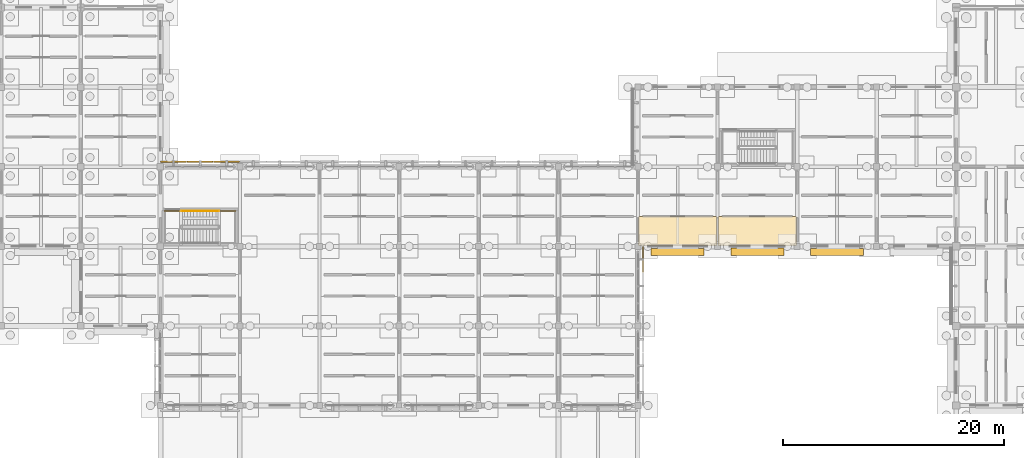
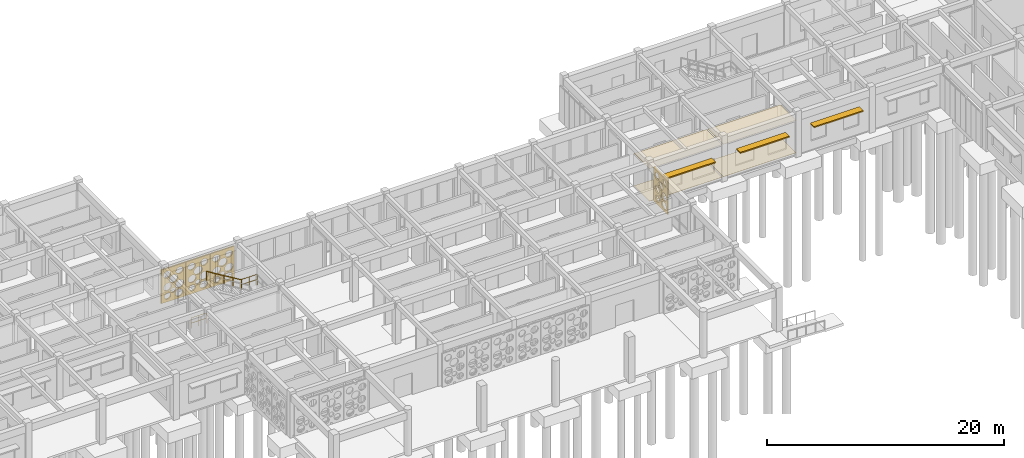
# One storey, part 102 of 111: 8 coverings, 3 railings, 3 shading devices.
"""IFC4 building model written with IfcOpenShell, lengths in metres."""

from ifc_helpers import new_model, si_unit, direction, frame, origin, origin_2d, place, context, subcontext, project, spatial, polyline, rectangle, circle, outline, extrude, material, layer, layer_set, type_object, element, save


model = new_model("IFC4")

# Units and contexts
model_context = context("Model", 3, precision=1e-05, world=origin(), true_north=direction((0.0, 1.0)))
body_context = subcontext(model_context, "Body", "Model", "MODEL_VIEW")
ifc_project = project(units=[si_unit("LENGTHUNIT", "METRE"), si_unit("AREAUNIT", "SQUARE_METRE"), si_unit("VOLUMEUNIT", "CUBIC_METRE"), si_unit("PLANEANGLEUNIT", "RADIAN"), si_unit("MASSUNIT", "GRAM", prefix="KILO")], contexts=[model_context])

# Site, building, storey
site_placement = place(None, origin())
site = spatial("IfcSite", under=ifc_project, at=site_placement, CompositionType="ELEMENT")
building_placement = place(site_placement, origin())
building = spatial("IfcBuilding", under=site, at=building_placement, Name="Aldebral Square Health Centre", CompositionType="ELEMENT")
storey_placement = place(building_placement, origin())
storey = spatial("IfcBuildingStorey", under=building, at=storey_placement, Name="L00", CompositionType="ELEMENT", Elevation=0.0)

# Coverings
ifc_material_1 = material(Name="Hygienic acoustic mineral ceiling tile")
ifc_layer_1 = layer(ifc_material_1, 0.02001953125, Name="Hygienic acoustic mineral ceiling tile")
ifc_layer_set_1 = layer_set([ifc_layer_1], Name="Hygienic acoustic mineral ceiling tile")
covering_type_1 = type_object("IfcCoveringType", Name="COV-CLG-AC", PredefinedType="CEILING", material=ifc_layer_set_1)
covering_1_placement = place(storey_placement, frame((0.0, 0.0, 3.340087890625)))
element("IfcCovering", 1, at=covering_1_placement, inside=storey, type_object=covering_type_1, Name="L00 Maternal-Child Clinic 16.14S acoustic ceiling", PredefinedType="CEILING", context=body_context, shape_type="SweptSolid", body=[
    extrude(outline(polyline([(108.06005859375, 93.659912109375), (115.139892578125, 93.659912109375), (115.139892578125, 96.280029296875), (108.06005859375, 96.280029296875), (108.06005859375, 93.659912109375)])), origin(), (0.0, 0.0, 1.0), 0.02001953125),
])
covering_2_placement = place(storey_placement, frame((0.0, 0.0, 3.340087890625)))
element("IfcCovering", 2, at=covering_2_placement, inside=storey, type_object=covering_type_1, Name="L00 Medical Records Archive 17.14S acoustic ceiling", PredefinedType="CEILING", context=body_context, shape_type="SweptSolid", body=[
    extrude(outline(polyline([(115.260009765625, 93.659912109375), (122.340087890625, 93.659912109375), (122.340087890625, 96.280029296875), (115.260009765625, 96.280029296875), (115.260009765625, 93.659912109375)])), origin(), (0.0, 0.0, 1.0), 0.02001953125),
])
ifc_material_2 = material(Name="Antimicrobial clinical vinyl flooring")
ifc_layer_2 = layer(ifc_material_2, 0.014892578125, Name="Antimicrobial clinical vinyl flooring")
ifc_layer_set_2 = layer_set([ifc_layer_2], Name="Antimicrobial clinical vinyl flooring")
covering_type_2 = type_object("IfcCoveringType", Name="COV-FLR-VN", PredefinedType="FLOORING", material=ifc_layer_set_2)
covering_3_placement = place(storey_placement, origin())
element("IfcCovering", 3, at=covering_3_placement, inside=storey, type_object=covering_type_2, Name="L00 Maternal-Child Clinic 16.14S clinical flooring", PredefinedType="FLOORING", context=body_context, shape_type="SweptSolid", body=[
    extrude(outline(polyline([(108.06005859375, 93.659912109375), (115.139892578125, 93.659912109375), (115.139892578125, 96.280029296875), (108.06005859375, 96.280029296875), (108.06005859375, 93.659912109375)])), origin(), (0.0, 0.0, 1.0), 0.014892578125),
])
covering_4_placement = place(storey_placement, origin())
element("IfcCovering", 4, at=covering_4_placement, inside=storey, type_object=covering_type_2, Name="L00 Medical Records Archive 17.14S clinical flooring", PredefinedType="FLOORING", context=body_context, shape_type="SweptSolid", body=[
    extrude(outline(polyline([(115.260009765625, 93.659912109375), (122.340087890625, 93.659912109375), (122.340087890625, 96.280029296875), (115.260009765625, 96.280029296875), (115.260009765625, 93.659912109375)])), origin(), (0.0, 0.0, 1.0), 0.014892578125),
])
ifc_material_3 = material(Name="Cream cantera perforated stone screen", Category="masonry")
ifc_layer_3 = layer(ifc_material_3, 0.1201171875, Name="Cream cantera perforated stone screen", Category="masonry")
ifc_layer_set_3 = layer_set([ifc_layer_3], Name="Cream cantera perforated stone screen")
covering_type_3 = type_object("IfcCoveringType", Name="COV-SCR-120", PredefinedType="CLADDING", material=ifc_layer_set_3)
covering_5_placement = place(storey_placement, frame((71.97998046875, 101.260009765625, 0.0), z_axis=(0.0, 0.0, 1.0), x_axis=(-1.0, 0.0, 0.0)))
element("IfcCovering", 5, at=covering_5_placement, inside=storey, type_object=covering_type_3, Name="L00 V1 circular-aperture stone screen L00-V1-09-13-N.1", PredefinedType="CLADDING", context=body_context, shape_type="SweptSolid", body=[
    extrude(outline(polyline([(0.0, 0.0), (2.35986328125, 0.0), (2.35986328125, 3.469970703125), (0.0, 3.469970703125), (0.0, 0.0)]), holes=[polyline([(0.98486328125, 0.55517578125), (0.966552734375, 0.4404296875), (0.913818359375, 0.3369140625), (0.831787109375, 0.2548828125), (0.728271484375, 0.2021484375), (0.613525390625, 0.18408203125), (0.498779296875, 0.2021484375), (0.3955078125, 0.2548828125), (0.313232421875, 0.3369140625), (0.260498046875, 0.4404296875), (0.242431640625, 0.55517578125), (0.260498046875, 0.669921875), (0.313232421875, 0.7734375), (0.3955078125, 0.85546875), (0.498779296875, 0.908203125), (0.613525390625, 0.926513671875), (0.728271484375, 0.908203125), (0.831787109375, 0.85546875), (0.913818359375, 0.7734375), (0.966552734375, 0.669921875), (0.98486328125, 0.55517578125)]), polyline([(2.059326171875, 0.58984375), (2.0439453125, 0.4931640625), (1.99951171875, 0.406005859375), (1.930419921875, 0.336669921875), (1.843017578125, 0.292236328125), (1.746337890625, 0.277099609375), (1.649658203125, 0.292236328125), (1.5625, 0.336669921875), (1.4931640625, 0.406005859375), (1.44873046875, 0.4931640625), (1.43359375, 0.58984375), (1.44873046875, 0.6865234375), (1.4931640625, 0.77392578125), (1.5625, 0.843017578125), (1.649658203125, 0.887451171875), (1.746337890625, 0.90283203125), (1.843017578125, 0.887451171875), (1.930419921875, 0.843017578125), (1.99951171875, 0.77392578125), (2.0439453125, 0.6865234375), (2.059326171875, 0.58984375)]), polyline([(0.970703125, 1.45751953125), (0.950927734375, 1.33251953125), (0.8935546875, 1.2197265625), (0.803955078125, 1.13037109375), (0.69140625, 1.072998046875), (0.56640625, 1.052978515625), (0.44140625, 1.072998046875), (0.328857421875, 1.13037109375), (0.2392578125, 1.2197265625), (0.181884765625, 1.33251953125), (0.162109375, 1.45751953125), (0.181884765625, 1.582275390625), (0.2392578125, 1.695068359375), (0.328857421875, 1.784423828125), (0.44140625, 1.841796875), (0.56640625, 1.86181640625), (0.69140625, 1.841796875), (0.803955078125, 1.784423828125), (0.8935546875, 1.695068359375), (0.950927734375, 1.582275390625), (0.970703125, 1.45751953125)]), polyline([(2.124267578125, 1.52685546875), (2.105712890625, 1.41015625), (2.052001953125, 1.3046875), (1.968505859375, 1.22119140625), (1.863037109375, 1.16748046875), (1.746337890625, 1.14892578125), (1.629638671875, 1.16748046875), (1.5244140625, 1.22119140625), (1.440673828125, 1.3046875), (1.38720703125, 1.41015625), (1.36865234375, 1.52685546875), (1.38720703125, 1.6435546875), (1.440673828125, 1.748779296875), (1.5244140625, 1.83251953125), (1.629638671875, 1.88623046875), (1.746337890625, 1.904541015625), (1.863037109375, 1.88623046875), (1.968505859375, 1.83251953125), (2.052001953125, 1.748779296875), (2.105712890625, 1.6435546875), (2.124267578125, 1.52685546875)]), polyline([(1.42431640625, 1.00634765625), (1.412353515625, 0.9306640625), (1.377685546875, 0.862548828125), (1.32373046875, 0.80859375), (1.255615234375, 0.77392578125), (1.179931640625, 0.761962890625), (1.1044921875, 0.77392578125), (1.036376953125, 0.80859375), (0.982177734375, 0.862548828125), (0.947509765625, 0.9306640625), (0.935546875, 1.00634765625), (0.947509765625, 1.081787109375), (0.982177734375, 1.14990234375), (1.036376953125, 1.2041015625), (1.1044921875, 1.23876953125), (1.179931640625, 1.250732421875), (1.255615234375, 1.23876953125), (1.32373046875, 1.2041015625), (1.377685546875, 1.14990234375), (1.412353515625, 1.081787109375), (1.42431640625, 1.00634765625)]), polyline([(1.563232421875, 2.18603515625), (1.54345703125, 2.060302734375), (1.485595703125, 1.947021484375), (1.3955078125, 1.85693359375), (1.2822265625, 1.799072265625), (1.156494140625, 1.779296875), (1.03076171875, 1.799072265625), (0.917236328125, 1.85693359375), (0.8271484375, 1.947021484375), (0.76953125, 2.060302734375), (0.74951171875, 2.18603515625), (0.76953125, 2.311767578125), (0.8271484375, 2.42529296875), (0.917236328125, 2.515380859375), (1.03076171875, 2.572998046875), (1.156494140625, 2.593017578125), (1.2822265625, 2.572998046875), (1.3955078125, 2.515380859375), (1.485595703125, 2.42529296875), (1.54345703125, 2.311767578125), (1.563232421875, 2.18603515625)]), polyline([(0.9091796875, 2.845458984375), (0.892333984375, 2.739501953125), (0.84375, 2.64404296875), (0.767822265625, 2.568115234375), (0.67236328125, 2.51953125), (0.56640625, 2.502685546875), (0.46044921875, 2.51953125), (0.364990234375, 2.568115234375), (0.2890625, 2.64404296875), (0.240478515625, 2.739501953125), (0.2236328125, 2.845458984375), (0.240478515625, 2.951416015625), (0.2890625, 3.046875), (0.364990234375, 3.12255859375), (0.46044921875, 3.17138671875), (0.56640625, 3.18798828125), (0.67236328125, 3.17138671875), (0.767822265625, 3.12255859375), (0.84375, 3.046875), (0.892333984375, 2.951416015625), (0.9091796875, 2.845458984375)]), polyline([(2.1513671875, 2.810791015625), (2.1337890625, 2.7001953125), (2.0830078125, 2.600341796875), (2.00390625, 2.521240234375), (1.904052734375, 2.470458984375), (1.793701171875, 2.452880859375), (1.68310546875, 2.470458984375), (1.583251953125, 2.521240234375), (1.504150390625, 2.600341796875), (1.453369140625, 2.7001953125), (1.435791015625, 2.810791015625), (1.453369140625, 2.921142578125), (1.504150390625, 3.02099609375), (1.583251953125, 3.10009765625), (1.68310546875, 3.15087890625), (1.793701171875, 3.16845703125), (1.904052734375, 3.15087890625), (2.00390625, 3.10009765625), (2.0830078125, 3.02099609375), (2.1337890625, 2.921142578125), (2.1513671875, 2.810791015625)])]), frame((0.0, 0.06005859375, 0.0), z_axis=(0.0, -1.0, 0.0), x_axis=(1.0, 0.0, 0.0)), (0.0, 0.0, 1.0), 0.1201171875),
])
covering_6_placement = place(storey_placement, frame((69.580078125, 101.260009765625, 0.0), z_axis=(0.0, 0.0, 1.0), x_axis=(-1.0, 0.0, 0.0)))
element("IfcCovering", 6, at=covering_6_placement, inside=storey, type_object=covering_type_3, Name="L00 V1 circular-aperture stone screen L00-V1-09-13-N.2", PredefinedType="CLADDING", context=body_context, shape_type="SweptSolid", body=[
    extrude(outline(polyline([(0.0, 0.0), (2.360107421875, 0.0), (2.360107421875, 3.469970703125), (0.0, 3.469970703125), (0.0, 0.0)]), holes=[polyline([(0.98486328125, 0.55517578125), (0.966552734375, 0.4404296875), (0.913818359375, 0.3369140625), (0.831787109375, 0.2548828125), (0.728271484375, 0.2021484375), (0.613525390625, 0.18408203125), (0.498779296875, 0.2021484375), (0.3955078125, 0.2548828125), (0.313232421875, 0.3369140625), (0.260498046875, 0.4404296875), (0.242431640625, 0.55517578125), (0.260498046875, 0.669921875), (0.313232421875, 0.7734375), (0.3955078125, 0.85546875), (0.498779296875, 0.908203125), (0.613525390625, 0.926513671875), (0.728271484375, 0.908203125), (0.831787109375, 0.85546875), (0.913818359375, 0.7734375), (0.966552734375, 0.669921875), (0.98486328125, 0.55517578125)]), polyline([(2.059326171875, 0.58984375), (2.0439453125, 0.4931640625), (1.99951171875, 0.406005859375), (1.930419921875, 0.336669921875), (1.843017578125, 0.292236328125), (1.746337890625, 0.277099609375), (1.649658203125, 0.292236328125), (1.5625, 0.336669921875), (1.4931640625, 0.406005859375), (1.44873046875, 0.4931640625), (1.43359375, 0.58984375), (1.44873046875, 0.6865234375), (1.4931640625, 0.77392578125), (1.5625, 0.843017578125), (1.649658203125, 0.887451171875), (1.746337890625, 0.90283203125), (1.843017578125, 0.887451171875), (1.930419921875, 0.843017578125), (1.99951171875, 0.77392578125), (2.0439453125, 0.6865234375), (2.059326171875, 0.58984375)]), polyline([(0.970703125, 1.45751953125), (0.950927734375, 1.33251953125), (0.8935546875, 1.2197265625), (0.803955078125, 1.13037109375), (0.69140625, 1.072998046875), (0.56640625, 1.052978515625), (0.44140625, 1.072998046875), (0.328857421875, 1.13037109375), (0.2392578125, 1.2197265625), (0.181884765625, 1.33251953125), (0.162109375, 1.45751953125), (0.181884765625, 1.582275390625), (0.2392578125, 1.695068359375), (0.328857421875, 1.784423828125), (0.44140625, 1.841796875), (0.56640625, 1.86181640625), (0.69140625, 1.841796875), (0.803955078125, 1.784423828125), (0.8935546875, 1.695068359375), (0.950927734375, 1.582275390625), (0.970703125, 1.45751953125)]), polyline([(2.124267578125, 1.52685546875), (2.105712890625, 1.41015625), (2.052001953125, 1.3046875), (1.968505859375, 1.22119140625), (1.863037109375, 1.16748046875), (1.746337890625, 1.14892578125), (1.629638671875, 1.16748046875), (1.5244140625, 1.22119140625), (1.440673828125, 1.3046875), (1.38720703125, 1.41015625), (1.36865234375, 1.52685546875), (1.38720703125, 1.6435546875), (1.440673828125, 1.748779296875), (1.5244140625, 1.83251953125), (1.629638671875, 1.88623046875), (1.746337890625, 1.904541015625), (1.863037109375, 1.88623046875), (1.968505859375, 1.83251953125), (2.052001953125, 1.748779296875), (2.105712890625, 1.6435546875), (2.124267578125, 1.52685546875)]), polyline([(1.42431640625, 1.00634765625), (1.412353515625, 0.9306640625), (1.377685546875, 0.862548828125), (1.32373046875, 0.80859375), (1.255615234375, 0.77392578125), (1.179931640625, 0.761962890625), (1.1044921875, 0.77392578125), (1.036376953125, 0.80859375), (0.982177734375, 0.862548828125), (0.947509765625, 0.9306640625), (0.935546875, 1.00634765625), (0.947509765625, 1.081787109375), (0.982177734375, 1.14990234375), (1.036376953125, 1.2041015625), (1.1044921875, 1.23876953125), (1.179931640625, 1.250732421875), (1.255615234375, 1.23876953125), (1.32373046875, 1.2041015625), (1.377685546875, 1.14990234375), (1.412353515625, 1.081787109375), (1.42431640625, 1.00634765625)]), polyline([(1.563232421875, 2.18603515625), (1.54345703125, 2.060302734375), (1.485595703125, 1.947021484375), (1.3955078125, 1.85693359375), (1.2822265625, 1.799072265625), (1.156494140625, 1.779296875), (1.03076171875, 1.799072265625), (0.917236328125, 1.85693359375), (0.8271484375, 1.947021484375), (0.76953125, 2.060302734375), (0.74951171875, 2.18603515625), (0.76953125, 2.311767578125), (0.8271484375, 2.42529296875), (0.917236328125, 2.515380859375), (1.03076171875, 2.572998046875), (1.156494140625, 2.593017578125), (1.2822265625, 2.572998046875), (1.3955078125, 2.515380859375), (1.485595703125, 2.42529296875), (1.54345703125, 2.311767578125), (1.563232421875, 2.18603515625)]), polyline([(0.9091796875, 2.845458984375), (0.892333984375, 2.739501953125), (0.84375, 2.64404296875), (0.767822265625, 2.568115234375), (0.67236328125, 2.51953125), (0.56640625, 2.502685546875), (0.46044921875, 2.51953125), (0.364990234375, 2.568115234375), (0.2890625, 2.64404296875), (0.240478515625, 2.739501953125), (0.2236328125, 2.845458984375), (0.240478515625, 2.951416015625), (0.2890625, 3.046875), (0.364990234375, 3.12255859375), (0.46044921875, 3.17138671875), (0.56640625, 3.18798828125), (0.67236328125, 3.17138671875), (0.767822265625, 3.12255859375), (0.84375, 3.046875), (0.892333984375, 2.951416015625), (0.9091796875, 2.845458984375)]), polyline([(2.1513671875, 2.810791015625), (2.1337890625, 2.7001953125), (2.0830078125, 2.600341796875), (2.00390625, 2.521240234375), (1.904052734375, 2.470458984375), (1.793701171875, 2.452880859375), (1.68310546875, 2.470458984375), (1.583251953125, 2.521240234375), (1.504150390625, 2.600341796875), (1.453369140625, 2.7001953125), (1.435791015625, 2.810791015625), (1.453369140625, 2.921142578125), (1.504150390625, 3.02099609375), (1.583251953125, 3.10009765625), (1.68310546875, 3.15087890625), (1.793701171875, 3.16845703125), (1.904052734375, 3.15087890625), (2.00390625, 3.10009765625), (2.0830078125, 3.02099609375), (2.1337890625, 2.921142578125), (2.1513671875, 2.810791015625)])]), frame((0.0, 0.06005859375, 0.0), z_axis=(0.0, -1.0, 0.0), x_axis=(1.0, 0.0, 0.0)), (0.0, 0.0, 1.0), 0.1201171875),
])
covering_7_placement = place(storey_placement, frame((67.179931640625, 101.260009765625, 0.0), z_axis=(0.0, 0.0, 1.0), x_axis=(-1.0, 0.0, 0.0)))
element("IfcCovering", 7, at=covering_7_placement, inside=storey, type_object=covering_type_3, Name="L00 V1 circular-aperture stone screen L00-V1-09-13-N.3", PredefinedType="CLADDING", context=body_context, shape_type="SweptSolid", body=[
    extrude(outline(polyline([(0.0, 0.0), (2.35986328125, 0.0), (2.35986328125, 3.469970703125), (0.0, 3.469970703125), (0.0, 0.0)]), holes=[polyline([(0.98486328125, 0.55517578125), (0.966552734375, 0.4404296875), (0.913818359375, 0.3369140625), (0.831787109375, 0.2548828125), (0.728271484375, 0.2021484375), (0.613525390625, 0.18408203125), (0.498779296875, 0.2021484375), (0.3955078125, 0.2548828125), (0.313232421875, 0.3369140625), (0.260498046875, 0.4404296875), (0.242431640625, 0.55517578125), (0.260498046875, 0.669921875), (0.313232421875, 0.7734375), (0.3955078125, 0.85546875), (0.498779296875, 0.908203125), (0.613525390625, 0.926513671875), (0.728271484375, 0.908203125), (0.831787109375, 0.85546875), (0.913818359375, 0.7734375), (0.966552734375, 0.669921875), (0.98486328125, 0.55517578125)]), polyline([(2.059326171875, 0.58984375), (2.0439453125, 0.4931640625), (1.99951171875, 0.406005859375), (1.930419921875, 0.336669921875), (1.843017578125, 0.292236328125), (1.746337890625, 0.277099609375), (1.649658203125, 0.292236328125), (1.5625, 0.336669921875), (1.4931640625, 0.406005859375), (1.44873046875, 0.4931640625), (1.43359375, 0.58984375), (1.44873046875, 0.6865234375), (1.4931640625, 0.77392578125), (1.5625, 0.843017578125), (1.649658203125, 0.887451171875), (1.746337890625, 0.90283203125), (1.843017578125, 0.887451171875), (1.930419921875, 0.843017578125), (1.99951171875, 0.77392578125), (2.0439453125, 0.6865234375), (2.059326171875, 0.58984375)]), polyline([(0.970703125, 1.45751953125), (0.950927734375, 1.33251953125), (0.8935546875, 1.2197265625), (0.803955078125, 1.13037109375), (0.69140625, 1.072998046875), (0.56640625, 1.052978515625), (0.44140625, 1.072998046875), (0.328857421875, 1.13037109375), (0.2392578125, 1.2197265625), (0.181884765625, 1.33251953125), (0.162109375, 1.45751953125), (0.181884765625, 1.582275390625), (0.2392578125, 1.695068359375), (0.328857421875, 1.784423828125), (0.44140625, 1.841796875), (0.56640625, 1.86181640625), (0.69140625, 1.841796875), (0.803955078125, 1.784423828125), (0.8935546875, 1.695068359375), (0.950927734375, 1.582275390625), (0.970703125, 1.45751953125)]), polyline([(2.124267578125, 1.52685546875), (2.105712890625, 1.41015625), (2.052001953125, 1.3046875), (1.968505859375, 1.22119140625), (1.863037109375, 1.16748046875), (1.746337890625, 1.14892578125), (1.629638671875, 1.16748046875), (1.5244140625, 1.22119140625), (1.440673828125, 1.3046875), (1.38720703125, 1.41015625), (1.36865234375, 1.52685546875), (1.38720703125, 1.6435546875), (1.440673828125, 1.748779296875), (1.5244140625, 1.83251953125), (1.629638671875, 1.88623046875), (1.746337890625, 1.904541015625), (1.863037109375, 1.88623046875), (1.968505859375, 1.83251953125), (2.052001953125, 1.748779296875), (2.105712890625, 1.6435546875), (2.124267578125, 1.52685546875)]), polyline([(1.42431640625, 1.00634765625), (1.412353515625, 0.9306640625), (1.377685546875, 0.862548828125), (1.32373046875, 0.80859375), (1.255615234375, 0.77392578125), (1.179931640625, 0.761962890625), (1.1044921875, 0.77392578125), (1.036376953125, 0.80859375), (0.982177734375, 0.862548828125), (0.947509765625, 0.9306640625), (0.935546875, 1.00634765625), (0.947509765625, 1.081787109375), (0.982177734375, 1.14990234375), (1.036376953125, 1.2041015625), (1.1044921875, 1.23876953125), (1.179931640625, 1.250732421875), (1.255615234375, 1.23876953125), (1.32373046875, 1.2041015625), (1.377685546875, 1.14990234375), (1.412353515625, 1.081787109375), (1.42431640625, 1.00634765625)]), polyline([(1.563232421875, 2.18603515625), (1.54345703125, 2.060302734375), (1.485595703125, 1.947021484375), (1.3955078125, 1.85693359375), (1.2822265625, 1.799072265625), (1.156494140625, 1.779296875), (1.03076171875, 1.799072265625), (0.917236328125, 1.85693359375), (0.8271484375, 1.947021484375), (0.76953125, 2.060302734375), (0.74951171875, 2.18603515625), (0.76953125, 2.311767578125), (0.8271484375, 2.42529296875), (0.917236328125, 2.515380859375), (1.03076171875, 2.572998046875), (1.156494140625, 2.593017578125), (1.2822265625, 2.572998046875), (1.3955078125, 2.515380859375), (1.485595703125, 2.42529296875), (1.54345703125, 2.311767578125), (1.563232421875, 2.18603515625)]), polyline([(0.9091796875, 2.845458984375), (0.892333984375, 2.739501953125), (0.84375, 2.64404296875), (0.767822265625, 2.568115234375), (0.67236328125, 2.51953125), (0.56640625, 2.502685546875), (0.46044921875, 2.51953125), (0.364990234375, 2.568115234375), (0.2890625, 2.64404296875), (0.240478515625, 2.739501953125), (0.2236328125, 2.845458984375), (0.240478515625, 2.951416015625), (0.2890625, 3.046875), (0.364990234375, 3.12255859375), (0.46044921875, 3.17138671875), (0.56640625, 3.18798828125), (0.67236328125, 3.17138671875), (0.767822265625, 3.12255859375), (0.84375, 3.046875), (0.892333984375, 2.951416015625), (0.9091796875, 2.845458984375)]), polyline([(2.1513671875, 2.810791015625), (2.1337890625, 2.7001953125), (2.0830078125, 2.600341796875), (2.00390625, 2.521240234375), (1.904052734375, 2.470458984375), (1.793701171875, 2.452880859375), (1.68310546875, 2.470458984375), (1.583251953125, 2.521240234375), (1.504150390625, 2.600341796875), (1.453369140625, 2.7001953125), (1.435791015625, 2.810791015625), (1.453369140625, 2.921142578125), (1.504150390625, 3.02099609375), (1.583251953125, 3.10009765625), (1.68310546875, 3.15087890625), (1.793701171875, 3.16845703125), (1.904052734375, 3.15087890625), (2.00390625, 3.10009765625), (2.0830078125, 3.02099609375), (2.1337890625, 2.921142578125), (2.1513671875, 2.810791015625)])]), frame((0.0, 0.06005859375, 0.0), z_axis=(0.0, -1.0, 0.0), x_axis=(1.0, 0.0, 0.0)), (0.0, 0.0, 1.0), 0.1201171875),
])
covering_8_placement = place(storey_placement, frame((108.4599609375, 91.219970703125, 0.0), z_axis=(0.0, 0.0, 1.0), x_axis=(0.0, 1.0, 0.0)))
element("IfcCovering", 8, at=covering_8_placement, inside=storey, type_object=covering_type_3, Name="L00 V1 circular-aperture stone screen L00-V1-14-12-E.3", PredefinedType="CLADDING", context=body_context, shape_type="SweptSolid", body=[
    extrude(outline(polyline([(0.0, 0.0), (2.360107421875, 0.0), (2.360107421875, 3.52001953125), (0.0, 3.52001953125), (0.0, 0.0)]), holes=[polyline([(0.987548828125, 0.563232421875), (0.96923828125, 0.44775390625), (0.916015625, 0.343505859375), (0.833251953125, 0.2607421875), (0.729248046875, 0.20751953125), (0.613525390625, 0.189208984375), (0.498046875, 0.20751953125), (0.393798828125, 0.2607421875), (0.31103515625, 0.343505859375), (0.258056640625, 0.44775390625), (0.23974609375, 0.563232421875), (0.258056640625, 0.6787109375), (0.31103515625, 0.782958984375), (0.393798828125, 0.86572265625), (0.498046875, 0.918701171875), (0.613525390625, 0.93701171875), (0.729248046875, 0.918701171875), (0.833251953125, 0.86572265625), (0.916015625, 0.782958984375), (0.96923828125, 0.6787109375), (0.987548828125, 0.563232421875)]), polyline([(2.0615234375, 0.598388671875), (2.046142578125, 0.5009765625), (2.00146484375, 0.4130859375), (1.931640625, 0.343505859375), (1.84375, 0.298583984375), (1.746337890625, 0.283203125), (1.64892578125, 0.298583984375), (1.56103515625, 0.343505859375), (1.491455078125, 0.4130859375), (1.446533203125, 0.5009765625), (1.43115234375, 0.598388671875), (1.446533203125, 0.69580078125), (1.491455078125, 0.78369140625), (1.56103515625, 0.853515625), (1.64892578125, 0.898193359375), (1.746337890625, 0.91357421875), (1.84375, 0.898193359375), (1.931640625, 0.853515625), (2.00146484375, 0.78369140625), (2.046142578125, 0.69580078125), (2.0615234375, 0.598388671875)]), polyline([(0.974609375, 1.478515625), (0.95458984375, 1.352294921875), (0.896728515625, 1.238525390625), (0.806396484375, 1.148193359375), (0.692626953125, 1.090087890625), (0.56640625, 1.0703125), (0.440185546875, 1.090087890625), (0.326416015625, 1.148193359375), (0.236083984375, 1.238525390625), (0.17822265625, 1.352294921875), (0.158203125, 1.478515625), (0.17822265625, 1.6044921875), (0.236083984375, 1.71826171875), (0.326416015625, 1.80859375), (0.440185546875, 1.86669921875), (0.56640625, 1.88671875), (0.692626953125, 1.86669921875), (0.806396484375, 1.80859375), (0.896728515625, 1.71826171875), (0.95458984375, 1.6044921875), (0.974609375, 1.478515625)]), polyline([(2.127197265625, 1.548828125), (2.1083984375, 1.43115234375), (2.054443359375, 1.324951171875), (1.97021484375, 1.24072265625), (1.864013671875, 1.186767578125), (1.746337890625, 1.168212890625), (1.628662109375, 1.186767578125), (1.522705078125, 1.24072265625), (1.4384765625, 1.324951171875), (1.38427734375, 1.43115234375), (1.36572265625, 1.548828125), (1.38427734375, 1.66650390625), (1.4384765625, 1.7724609375), (1.522705078125, 1.856689453125), (1.628662109375, 1.910888671875), (1.746337890625, 1.929443359375), (1.864013671875, 1.910888671875), (1.97021484375, 1.856689453125), (2.054443359375, 1.7724609375), (2.1083984375, 1.66650390625), (2.127197265625, 1.548828125)]), polyline([(1.42529296875, 1.020751953125), (1.413330078125, 0.945068359375), (1.37841796875, 0.87646484375), (1.32421875, 0.822265625), (1.255859375, 0.787353515625), (1.179931640625, 0.775390625), (1.104248046875, 0.787353515625), (1.03564453125, 0.822265625), (0.9814453125, 0.87646484375), (0.946533203125, 0.945068359375), (0.9345703125, 1.020751953125), (0.946533203125, 1.0966796875), (0.9814453125, 1.1650390625), (1.03564453125, 1.21923828125), (1.104248046875, 1.254150390625), (1.179931640625, 1.26611328125), (1.255859375, 1.254150390625), (1.32421875, 1.21923828125), (1.37841796875, 1.1650390625), (1.413330078125, 1.0966796875), (1.42529296875, 1.020751953125)]), polyline([(1.5673828125, 2.217529296875), (1.54736328125, 2.090576171875), (1.489013671875, 1.97607421875), (1.39794921875, 1.885009765625), (1.283447265625, 1.82666015625), (1.156494140625, 1.806396484375), (1.029296875, 1.82666015625), (0.914794921875, 1.885009765625), (0.82373046875, 1.97607421875), (0.765380859375, 2.090576171875), (0.745361328125, 2.217529296875), (0.765380859375, 2.3447265625), (0.82373046875, 2.459228515625), (0.914794921875, 2.55029296875), (1.029296875, 2.608642578125), (1.156494140625, 2.628662109375), (1.283447265625, 2.608642578125), (1.39794921875, 2.55029296875), (1.489013671875, 2.459228515625), (1.54736328125, 2.3447265625), (1.5673828125, 2.217529296875)]), polyline([(0.91162109375, 2.886474609375), (0.894775390625, 2.77978515625), (0.845703125, 2.68359375), (0.769287109375, 2.607177734375), (0.673095703125, 2.55810546875), (0.56640625, 2.541259765625), (0.459716796875, 2.55810546875), (0.363525390625, 2.607177734375), (0.287109375, 2.68359375), (0.238037109375, 2.77978515625), (0.22119140625, 2.886474609375), (0.238037109375, 2.9931640625), (0.287109375, 3.08935546875), (0.363525390625, 3.165771484375), (0.459716796875, 3.214599609375), (0.56640625, 3.231689453125), (0.673095703125, 3.214599609375), (0.769287109375, 3.165771484375), (0.845703125, 3.08935546875), (0.894775390625, 2.9931640625), (0.91162109375, 2.886474609375)]), polyline([(2.15380859375, 2.851318359375), (2.13623046875, 2.739990234375), (2.0849609375, 2.639404296875), (2.00537109375, 2.559814453125), (1.905029296875, 2.508544921875), (1.793701171875, 2.490966796875), (1.682373046875, 2.508544921875), (1.581787109375, 2.559814453125), (1.502197265625, 2.639404296875), (1.450927734375, 2.739990234375), (1.433349609375, 2.851318359375), (1.450927734375, 2.96240234375), (1.502197265625, 3.06298828125), (1.581787109375, 3.142578125), (1.682373046875, 3.19384765625), (1.793701171875, 3.21142578125), (1.905029296875, 3.19384765625), (2.00537109375, 3.142578125), (2.0849609375, 3.06298828125), (2.13623046875, 2.96240234375), (2.15380859375, 2.851318359375)])]), frame((0.0, 0.06005859375, 0.0), z_axis=(0.0, -1.0, 0.0), x_axis=(1.0, 0.0, 0.0)), (0.0, 0.0, 1.0), 0.1201171875),
])

# Railings
ifc_material_4 = material(Name="Painted steel S355JR stair guard", Category="steel")
railing_type_1 = type_object("IfcRailingType", Name="RL-ST-GRD", PredefinedType="GUARDRAIL", material=ifc_material_4)
railing_1_placement = place(storey_placement, frame((70.10009765625, 96.7900390625, 2.25)))
element("IfcRailing", 9, at=railing_1_placement, inside=storey, type_object=railing_type_1, Name="L00 ST-07 stair guard 4", PredefinedType="GUARDRAIL", context=body_context, shape_type="SweptSolid", body=[
    extrude(circle(Radius=0.02392578125, at=origin_2d()), frame((0.0, 0.0, 1.09619140625), z_axis=(1.0, 0.0, 0.0), x_axis=(0.0, 1.0, 0.0)), (0.0, 0.0, 1.0), 1.52001953125),
    extrude(circle(Radius=0.02392578125, at=origin_2d()), frame((0.0, 0.0, 0.56005859375), z_axis=(1.0, 0.0, 0.0), x_axis=(0.0, 1.0, 0.0)), (0.0, 0.0, 1.0), 1.52001953125),
    extrude(circle(Radius=0.02099609375, at=origin_2d()), origin(), (0.0, 0.0, 1.0), 1.072021484375),
    extrude(circle(Radius=0.02099609375, at=origin_2d()), frame((0.760009765625, 0.0, 0.0)), (0.0, 0.0, 1.0), 1.072021484375),
    extrude(circle(Radius=0.02099609375, at=origin_2d()), frame((1.52001953125, 0.0, 0.0)), (0.0, 0.0, 1.0), 1.072021484375),
])
railing_2_placement = place(storey_placement, frame((65.179931640625, 96.7900390625, 0.0)))
element("IfcRailing", 10, at=railing_2_placement, inside=storey, type_object=railing_type_1, Name="L00 ST-07 stair guard 9", PredefinedType="GUARDRAIL", context=body_context, shape_type="SweptSolid", body=[
    extrude(circle(Radius=0.02392578125, at=origin_2d()), frame((0.0, 0.0, 1.09619140625), z_axis=(1.0, 0.0, 0.0), x_axis=(0.0, 1.0, 0.0)), (0.0, 0.0, 1.0), 1.5),
    extrude(circle(Radius=0.02392578125, at=origin_2d()), frame((0.0, 0.0, 0.56005859375), z_axis=(1.0, 0.0, 0.0), x_axis=(0.0, 1.0, 0.0)), (0.0, 0.0, 1.0), 1.5),
    extrude(circle(Radius=0.02099609375, at=origin_2d()), origin(), (0.0, 0.0, 1.0), 1.072021484375),
    extrude(circle(Radius=0.02099609375, at=origin_2d()), frame((0.75, 0.0, 0.0)), (0.0, 0.0, 1.0), 1.072021484375),
    extrude(circle(Radius=0.02099609375, at=origin_2d()), frame((1.5, 0.0, 0.0)), (0.0, 0.0, 1.0), 1.072021484375),
])
ifc_material_5 = material(Name="Brushed stainless steel handrail", Category="steel")
railing_type_2 = type_object("IfcRailingType", Name="RL-ST-HND", PredefinedType="HANDRAIL", material=ifc_material_5)
railing_3_placement = place(storey_placement, frame((70.10009765625, 96.7900390625, 2.423095703125)))
element("IfcRailing", 11, at=railing_3_placement, inside=storey, type_object=railing_type_2, Name="L00 ST-07 stair handrail 2", PredefinedType="HANDRAIL", context=body_context, shape_type="SweptSolid", body=[
    extrude(circle(Radius=0.02392578125, at=origin_2d()), frame((0.0, 0.0, 0.8759765625), z_axis=(-0.854745945586, 0.0, 0.519046595696), x_axis=(0.0, -1.0, 0.0)), (0.0, 0.0, 1.0), 4.00146484375),
    extrude(circle(Radius=0.02099609375, at=origin_2d()), origin(), (0.0, 0.0, 1.0), 0.851806640625),
    extrude(circle(Radius=0.02099609375, at=origin_2d()), frame((-0.85498046875, 0.0, 0.519287109375)), (0.0, 0.0, 1.0), 0.851806640625),
    extrude(circle(Radius=0.02099609375, at=origin_2d()), frame((-1.7099609375, 0.0, 1.03857421875)), (0.0, 0.0, 1.0), 0.851806640625),
    extrude(circle(Radius=0.02099609375, at=origin_2d()), frame((-2.565185546875, 0.0, 1.5576171875)), (0.0, 0.0, 1.0), 0.851806640625),
    extrude(circle(Radius=0.02099609375, at=origin_2d()), frame((-3.420166015625, 0.0, 2.076904296875)), (0.0, 0.0, 1.0), 0.851806640625),
])

# Shading devices
ifc_material_6 = material(Name="Sienna-terracotta solar hood", Category="masonry")
shading_device_type = type_object("IfcShadingDeviceType", Name="SHD-LVR-1", PredefinedType="JALOUSIE", material=ifc_material_6)
for number, where, z_axis, x_axis, name in (
    (12, (111.60009765625, 93.094970703125, 2.419921875), (0.0, 0.0, 1.0), (1.0, 0.0, 0.0), "L00 solar hood L00-V5-15-13-S"),
    (13, (118.800048828125, 93.10498046875, 2.5400390625), (0.0, 0.0, 1.0), (1.0, 0.0, 0.0), "L00 solar hood L00-V5-16-13-S"),
    (14, (126.0, 93.094970703125, 2.669921875), (0.0, 0.0, 1.0), (1.0, 0.0, 0.0), "L00 solar hood L00-V5-17-13-S"),
):
    element("IfcShadingDevice", number, at=place(storey_placement, frame(where, z_axis=z_axis, x_axis=x_axis)), inside=storey, type_object=shading_device_type, Name=name, PredefinedType="JALOUSIE", context=body_context, shape_type="SweptSolid", body=[
        extrude(rectangle(XDim=4.800048828125, YDim=0.64990234375, at=origin_2d()), origin(), (0.0, 0.0, 1.0), 0.1201171875),
    ])

save(model, "model.ifc")
